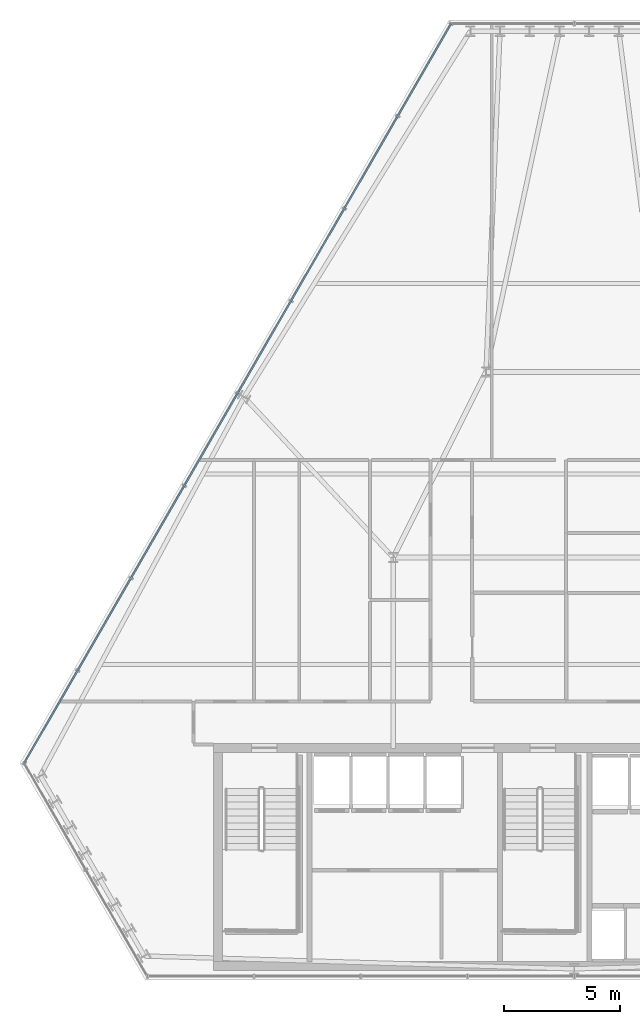
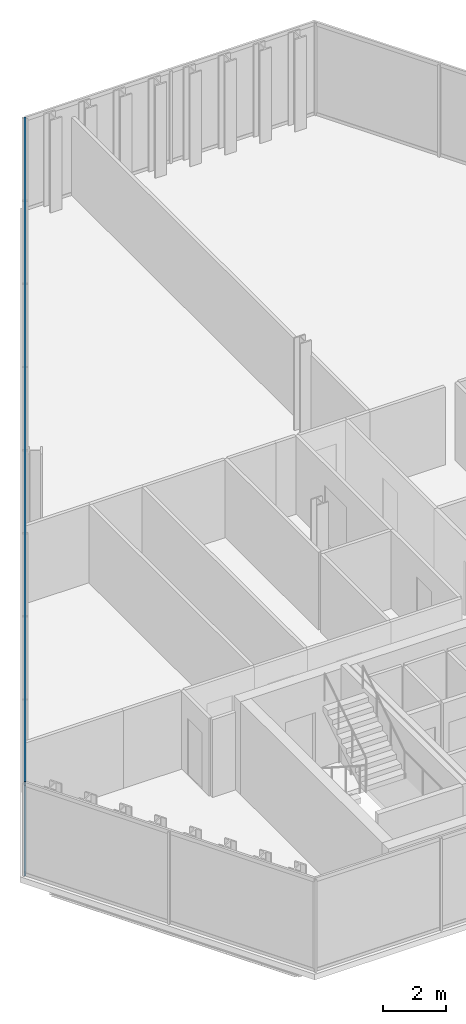
# One storey, part 12 of 33: 2 members, 1 element without a shape of its own.
"""IFC4 building model written with IfcOpenShell, lengths in metres."""

from ifc_helpers import new_model, si_unit, direction, frame, origin, origin_2d, place, context, subcontext, project, spatial, hollow_rectangle, extrude, material, layer, layer_set, material_profile, profile_set, type_object, element, aggregate, save


model = new_model("IFC4")

# Units and contexts
model_context = context("Model", 3, precision=1e-05, world=origin(), true_north=direction((0.0, 1.0)))
body_context = subcontext(model_context, "Body", "Model", "MODEL_VIEW")
ifc_project = project(units=[si_unit("LENGTHUNIT", "METRE"), si_unit("AREAUNIT", "SQUARE_METRE"), si_unit("VOLUMEUNIT", "CUBIC_METRE"), si_unit("PLANEANGLEUNIT", "RADIAN"), si_unit("MASSUNIT", "GRAM", prefix="KILO")], contexts=[model_context])

# Site, building, storey
site_placement = place(None, origin())
site = spatial("IfcSite", under=ifc_project, at=site_placement, CompositionType="ELEMENT")
building_placement = place(site_placement, origin())
building = spatial("IfcBuilding", under=site, at=building_placement, Name="Ndaravel Arena Tower", CompositionType="ELEMENT")
storey_placement = place(building_placement, frame((0.0, 0.0, 165.0)))
storey = spatial("IfcBuildingStorey", under=building, at=storey_placement, Name="L39", CompositionType="ELEMENT", Elevation=165.0)

# Curtain wall, members
ifc_material_1 = material(Name="Aluminium", Category="aluminium")
ifc_layer = layer(ifc_material_1, 0.179931640625)
ifc_layer_set = layer_set([ifc_layer], Name="Aluminium")
curtain_wall_type = type_object("IfcCurtainWallType", Name="CW-SYS-03", PredefinedType="NOTDEFINED", material=ifc_layer_set)
curtain_wall_placement = place(storey_placement, origin())
curtain_wall = element("IfcCurtainWall", 1, at=curtain_wall_placement, inside=storey, type_object=curtain_wall_type, Name="L39 Faceted Crystal Curtain Wall CW-L39-E05", PredefinedType="NOTDEFINED")
ifc_material_2 = material(Name="Aluminium", Category="aluminium")
ifc_material_profile = material_profile(ifc_material_2, hollow_rectangle(XDim=0.074951171875, YDim=0.14990234375, WallThickness=0.00390625, at=origin_2d()), Name="CW TRANSOM 75x150x4")
ifc_profile_set = profile_set([ifc_material_profile], Name="Aluminium")
member_type = type_object("IfcMemberType", Name="MEM-CW-TRN150", PredefinedType="USERDEFINED", material=ifc_profile_set)
member_1_placement = place(storey_placement, frame((36.695068359375, 46.20166015625, 0.0400390625), z_axis=(-0.499997675288, -0.866026745954, 0.0), x_axis=(0.866026745954, -0.499997675288, 0.0)))
member_1 = element("IfcMember", 2, at=member_1_placement, type_object=member_type, Name="CW-L39-E05 Transom 01", ObjectType="TRANSOM", PredefinedType="USERDEFINED", context=body_context, shape_type="SweptSolid", body=[
    extrude(hollow_rectangle(XDim=0.074951171875, YDim=0.14990234375, WallThickness=0.00390625, at=origin_2d()), origin(), (0.0, 0.0, 1.0), 36.781005859375),
])
member_2_placement = place(storey_placement, frame((36.695068359375, 46.20166015625, 3.5400390625), z_axis=(-0.499997675288, -0.866026745954, 0.0), x_axis=(0.866026745954, -0.499997675288, 0.0)))
member_2 = element("IfcMember", 3, at=member_2_placement, type_object=member_type, Name="CW-L39-E05 Transom 02", ObjectType="TRANSOM", PredefinedType="USERDEFINED", context=body_context, shape_type="SweptSolid", body=[
    extrude(hollow_rectangle(XDim=0.074951171875, YDim=0.14990234375, WallThickness=0.00390625, at=origin_2d()), origin(), (0.0, 0.0, 1.0), 36.781005859375),
])
aggregate(curtain_wall, [member_1, member_2])

save(model, "model.ifc")
